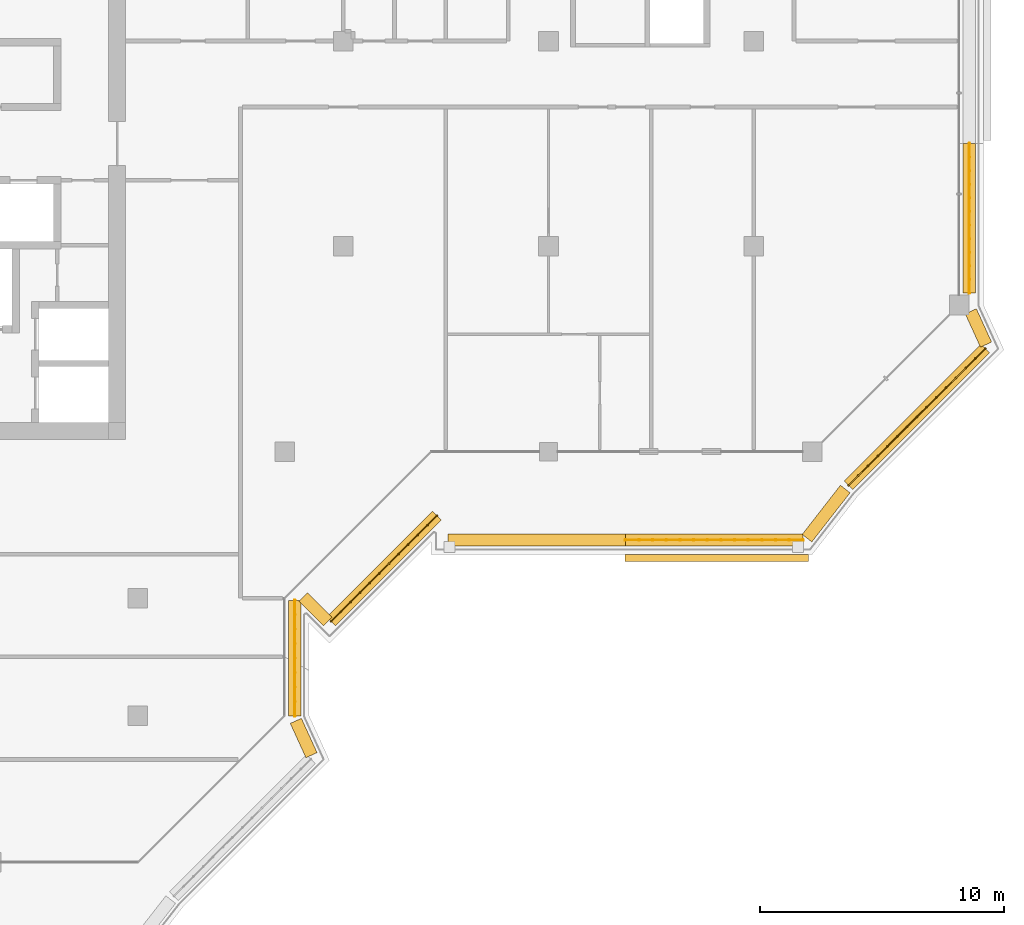
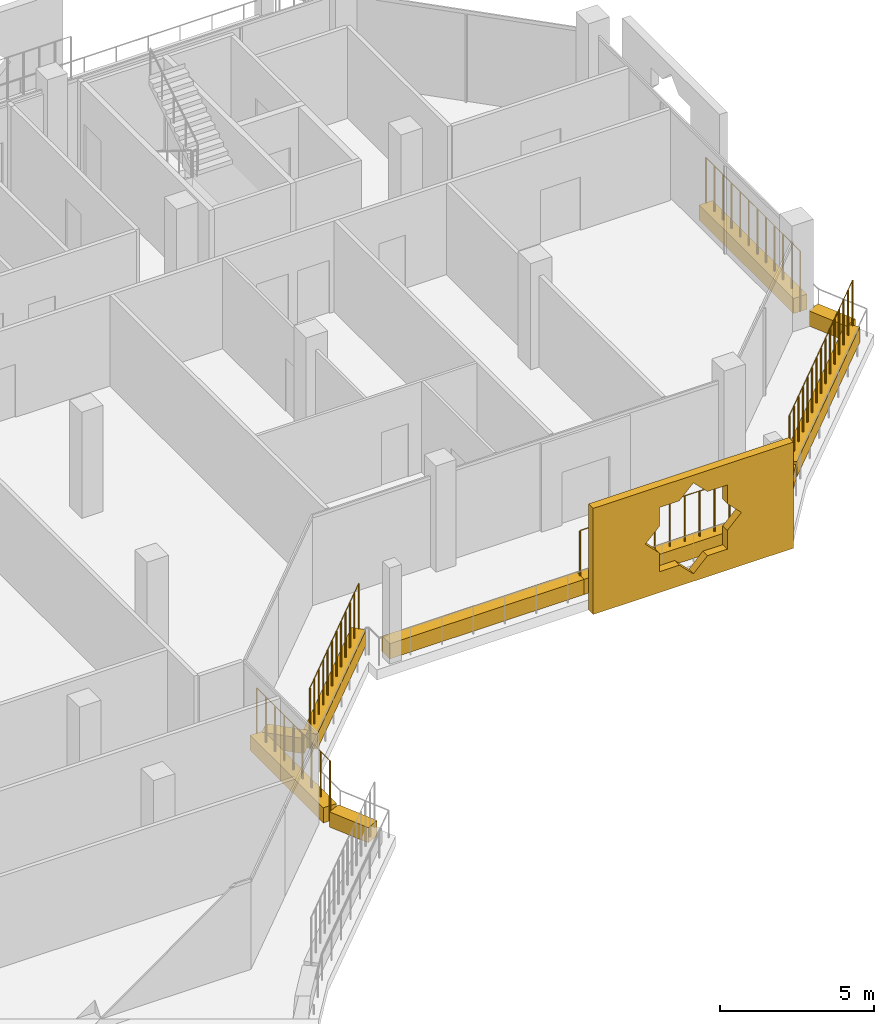
# One storey, part 18 of 21: 11 coverings, 5 railings.
"""IFC4 building model written with IfcOpenShell, lengths in metres."""

from ifc_helpers import new_model, si_unit, direction, frame, origin, origin_2d, place, context, subcontext, project, spatial, polyline, rectangle, circle, outline, extrude, material, material_profile, profile_set, type_object, element, save


model = new_model("IFC4")

# Units and contexts
model_context = context("Model", 3, precision=1e-05, world=origin(), true_north=direction((0.0, 1.0)))
body_context = subcontext(model_context, "Body", "Model", "MODEL_VIEW")
ifc_project = project(units=[si_unit("LENGTHUNIT", "METRE"), si_unit("AREAUNIT", "SQUARE_METRE"), si_unit("VOLUMEUNIT", "CUBIC_METRE"), si_unit("PLANEANGLEUNIT", "RADIAN"), si_unit("MASSUNIT", "GRAM", prefix="KILO")], contexts=[model_context])

# Site, building, storey
site_placement = place(None, origin())
site = spatial("IfcSite", under=ifc_project, at=site_placement, CompositionType="ELEMENT")
building_placement = place(site_placement, origin())
building = spatial("IfcBuilding", under=site, at=building_placement, Name="Kawkab Arch Medical Tower", CompositionType="ELEMENT")
storey_placement = place(building_placement, frame((0.0, 0.0, 311.199951171875)))
storey = spatial("IfcBuildingStorey", under=building, at=storey_placement, Name="L72", CompositionType="ELEMENT", Elevation=311.199951171875)

# Coverings
ifc_material_1 = material(Name="Bronze anodised aluminium mashrabiya panel, eight-point star pattern", Category="aluminium")
ifc_material_profile_1 = material_profile(ifc_material_1, outline(polyline([(-3.75, -2.10009765625), (3.75, -2.10009765625), (3.75, 2.10009765625), (-3.75, 2.10009765625), (-3.75, -2.10009765625)]), holes=[polyline([(1.800048828125, 0.0), (1.272705078125, 0.527099609375), (1.272705078125, 1.272705078125), (0.527099609375, 1.272705078125), (0.0, 1.800048828125), (-0.527099609375, 1.272705078125), (-1.272705078125, 1.272705078125), (-1.272705078125, 0.527099609375), (-1.800048828125, 0.0), (-1.272705078125, -0.527099609375), (-1.272705078125, -1.272705078125), (-0.527099609375, -1.272705078125), (0.0, -1.800048828125), (0.527099609375, -1.272705078125), (1.272705078125, -1.272705078125), (1.272705078125, -0.527099609375), (1.800048828125, 0.0)])]), Name="Mashrabiya panel 7500x4200")
ifc_profile_set_1 = profile_set([ifc_material_profile_1], Name="Bronze anodised aluminium mashrabiya panel, eight-point star pattern")
covering_type_1 = type_object("IfcCoveringType", Name="Mashrabiya panel 7500 x 4200", PredefinedType="USERDEFINED", material=ifc_profile_set_1)
covering_1_placement = place(storey_placement, frame((48.87890625, -29.39990234375, 1.699951171875), z_axis=(0.0, -1.0, 0.0), x_axis=(1.0, 0.0, 0.0)))
element("IfcCovering", 1, at=covering_1_placement, inside=storey, type_object=covering_type_1, Name="Mashrabiya panel L72.LOG-01-01.7", ObjectType="SCREEN", PredefinedType="USERDEFINED", context=body_context, shape_type="SweptSolid", body=[
    extrude(outline(polyline([(-3.75, -2.10009765625), (3.75, -2.10009765625), (3.75, 2.10009765625), (-3.75, 2.10009765625), (-3.75, -2.10009765625)]), holes=[polyline([(1.800048828125, 0.0), (1.272705078125, 0.527099609375), (1.272705078125, 1.272705078125), (0.527099609375, 1.272705078125), (0.0, 1.800048828125), (-0.527099609375, 1.272705078125), (-1.272705078125, 1.272705078125), (-1.272705078125, 0.527099609375), (-1.800048828125, 0.0), (-1.272705078125, -0.527099609375), (-1.272705078125, -1.272705078125), (-0.527099609375, -1.272705078125), (0.0, -1.800048828125), (0.527099609375, -1.272705078125), (1.272705078125, -1.272705078125), (1.272705078125, -0.527099609375), (1.800048828125, 0.0)])]), origin(), (0.0, 0.0, 1.0), 0.300048828125),
])
ifc_material_2 = material(Name="Planting soil in a precast trough", Category="concrete")
ifc_material_profile_2 = material_profile(ifc_material_2, rectangle(XDim=0.5, YDim=0.60009765625, at=origin_2d()), Name="Trough 500x600")
ifc_profile_set_2 = profile_set([ifc_material_profile_2], Name="Planting soil in a precast trough")
covering_type_2 = type_object("IfcCoveringType", Name="Planter trough 500 x 600", PredefinedType="USERDEFINED", material=ifc_profile_set_2)
covering_2_placement = place(storey_placement, frame((59.219970703125, -12.60009765625, 0.300048828125), z_axis=(0.0, -1.0, 0.0), x_axis=(1.0, 0.0, 0.0)))
element("IfcCovering", 2, at=covering_2_placement, inside=storey, type_object=covering_type_2, Name="Planter L72.LOG-01-01.23", ObjectType="PLANTER", PredefinedType="USERDEFINED", context=body_context, shape_type="SweptSolid", body=[
    extrude(rectangle(XDim=0.5, YDim=0.60009765625, at=origin_2d()), origin(), (0.0, 0.0, 1.0), 6.119873046875),
])
covering_3_placement = place(storey_placement, frame((59.280029296875, -19.4580078125, 0.300048828125), z_axis=(0.415189748133, -0.909734836667, 0.0), x_axis=(0.909734836667, 0.415189748133, 0.0)))
element("IfcCovering", 3, at=covering_3_placement, inside=storey, type_object=covering_type_2, Name="Planter L72.LOG-01-01.24", ObjectType="PLANTER", PredefinedType="USERDEFINED", context=body_context, shape_type="SweptSolid", body=[
    extrude(rectangle(XDim=0.5, YDim=0.60009765625, at=origin_2d()), origin(), (0.0, 0.0, 1.0), 1.498291015625),
])
covering_4_placement = place(storey_placement, frame((59.873046875, -20.98291015625, 0.300048828125), z_axis=(-0.707106781187, -0.707106781187, 0.0), x_axis=(0.707106781187, -0.707106781187, 0.0)))
element("IfcCovering", 4, at=covering_4_placement, inside=storey, type_object=covering_type_2, Name="Planter L72.LOG-01-01.25", ObjectType="PLANTER", PredefinedType="USERDEFINED", context=body_context, shape_type="SweptSolid", body=[
    extrude(rectangle(XDim=0.5, YDim=0.60009765625, at=origin_2d()), origin(), (0.0, 0.0, 1.0), 7.919677734375),
])
covering_5_placement = place(storey_placement, frame((54.14111328125, -26.73193359375, 0.300048828125), z_axis=(-0.614099956103, -0.789228258436, 0.0), x_axis=(0.789228258436, -0.614099956103, 0.0)))
element("IfcCovering", 5, at=covering_5_placement, inside=storey, type_object=covering_type_2, Name="Planter L72.LOG-01-01.26", ObjectType="PLANTER", PredefinedType="USERDEFINED", context=body_context, shape_type="SweptSolid", body=[
    extrude(rectangle(XDim=0.5, YDim=0.60009765625, at=origin_2d()), origin(), (0.0, 0.0, 1.0), 2.545654296875),
])
for number, where, z_axis, x_axis, name in (
    (6, (52.416015625, -28.820068359375, 0.300048828125), (-1.0, 0.0, 0.0), (0.0, -1.0, 0.0), "Planter L72.LOG-01-01.27"),
    (7, (45.14794921875, -28.820068359375, 0.300048828125), (-1.0, 0.0, 0.0), (0.0, -1.0, 0.0), "Planter L72.LOG-01-01.28"),
):
    element("IfcCovering", number, at=place(storey_placement, frame(where, z_axis=z_axis, x_axis=x_axis)), inside=storey, type_object=covering_type_2, Name=name, ObjectType="PLANTER", PredefinedType="USERDEFINED", context=body_context, shape_type="SweptSolid", body=[
        extrude(rectangle(XDim=0.5, YDim=0.60009765625, at=origin_2d()), origin(), (0.0, 0.0, 1.0), 7.26806640625),
    ])
covering_6_placement = place(storey_placement, frame((37.43701171875, -27.820068359375, 0.300048828125), z_axis=(-0.707206504313, -0.707007043994, 0.0), x_axis=(0.707007043994, -0.707206504313, 0.0)))
element("IfcCovering", 8, at=covering_6_placement, inside=storey, type_object=covering_type_2, Name="Planter L72.LOG-01-01.29", ObjectType="PLANTER", PredefinedType="USERDEFINED", context=body_context, shape_type="SweptSolid", body=[
    extrude(rectangle(XDim=0.5, YDim=0.60009765625, at=origin_2d()), origin(), (0.0, 0.0, 1.0), 6.1201171875),
])
covering_7_placement = place(storey_placement, frame((32.967041015625, -32.14697265625, 0.300048828125), z_axis=(-0.707192746389, 0.707020805532, 0.0), x_axis=(-0.707020805532, -0.707192746389, 0.0)))
element("IfcCovering", 9, at=covering_7_placement, inside=storey, type_object=covering_type_2, Name="Planter L72.LOG-01-01.30", ObjectType="PLANTER", PredefinedType="USERDEFINED", context=body_context, shape_type="SweptSolid", body=[
    extrude(rectangle(XDim=0.5, YDim=0.60009765625, at=origin_2d()), origin(), (0.0, 0.0, 1.0), 1.419921875),
])
covering_8_placement = place(storey_placement, frame((31.6201171875, -31.284912109375, 0.300048828125), z_axis=(0.0, -1.0, 0.0), x_axis=(1.0, 0.0, 0.0)))
element("IfcCovering", 10, at=covering_8_placement, inside=storey, type_object=covering_type_2, Name="Planter L72.LOG-01-01.31", ObjectType="PLANTER", PredefinedType="USERDEFINED", context=body_context, shape_type="SweptSolid", body=[
    extrude(rectangle(XDim=0.5, YDim=0.60009765625, at=origin_2d()), origin(), (0.0, 0.0, 1.0), 4.740966796875),
])
covering_9_placement = place(storey_placement, frame((31.660888671875, -36.217041015625, 0.300048828125), z_axis=(0.415363486165, -0.909655525109, 0.0), x_axis=(0.909655525109, 0.415363486165, 0.0)))
element("IfcCovering", 11, at=covering_9_placement, inside=storey, type_object=covering_type_2, Name="Planter L72.LOG-01-01.32", ObjectType="PLANTER", PredefinedType="USERDEFINED", context=body_context, shape_type="SweptSolid", body=[
    extrude(rectangle(XDim=0.5, YDim=0.60009765625, at=origin_2d()), origin(), (0.0, 0.0, 1.0), 1.54345703125),
])

# Railings
ifc_material_3 = material(Name="Bronze anodised aluminium trellis for climbing plants", Category="aluminium")
railing_type = type_object("IfcRailingType", Name="Planting trellis 2400", PredefinedType="USERDEFINED", material=ifc_material_3)
railing_1_placement = place(storey_placement, frame((59.219970703125, -12.60009765625, 0.0)))
element("IfcRailing", 12, at=railing_1_placement, inside=storey, type_object=railing_type, Name="Planting trellis L72.LOG-01-01.23", ObjectType="TRELLIS", PredefinedType="USERDEFINED", context=body_context, shape_type="SweptSolid", body=[
    extrude(circle(Radius=0.01513671875, at=origin_2d()), frame((0.0, 0.0, 2.384765625), z_axis=(0.0, -1.0, 0.0), x_axis=(1.0, 0.0, 0.0)), (0.0, 0.0, 1.0), 6.119873046875),
    extrude(circle(Radius=0.030029296875, at=origin_2d()), origin(), (0.0, 0.0, 1.0), 2.369873046875),
    extrude(circle(Radius=0.030029296875, at=origin_2d()), frame((0.0, -0.556396484375, 0.0)), (0.0, 0.0, 1.0), 2.369873046875),
    extrude(circle(Radius=0.030029296875, at=origin_2d()), frame((0.0, -1.11279296875, 0.0)), (0.0, 0.0, 1.0), 2.369873046875),
    extrude(circle(Radius=0.030029296875, at=origin_2d()), frame((0.0, -1.6689453125, 0.0)), (0.0, 0.0, 1.0), 2.369873046875),
    extrude(circle(Radius=0.030029296875, at=origin_2d()), frame((0.0, -2.225341796875, 0.0)), (0.0, 0.0, 1.0), 2.369873046875),
    extrude(circle(Radius=0.030029296875, at=origin_2d()), frame((0.0, -2.78173828125, 0.0)), (0.0, 0.0, 1.0), 2.369873046875),
    extrude(circle(Radius=0.030029296875, at=origin_2d()), frame((0.0, -3.338134765625, 0.0)), (0.0, 0.0, 1.0), 2.369873046875),
    extrude(circle(Radius=0.030029296875, at=origin_2d()), frame((0.0, -3.89453125, 0.0)), (0.0, 0.0, 1.0), 2.369873046875),
    extrude(circle(Radius=0.030029296875, at=origin_2d()), frame((0.0, -4.450927734375, 0.0)), (0.0, 0.0, 1.0), 2.369873046875),
    extrude(circle(Radius=0.030029296875, at=origin_2d()), frame((0.0, -5.007080078125, 0.0)), (0.0, 0.0, 1.0), 2.369873046875),
    extrude(circle(Radius=0.030029296875, at=origin_2d()), frame((0.0, -5.5634765625, 0.0)), (0.0, 0.0, 1.0), 2.369873046875),
    extrude(circle(Radius=0.030029296875, at=origin_2d()), frame((0.0, -6.119873046875, 0.0)), (0.0, 0.0, 1.0), 2.369873046875),
])
railing_2_placement = place(storey_placement, frame((59.873046875, -20.98291015625, 0.0)))
element("IfcRailing", 13, at=railing_2_placement, inside=storey, type_object=railing_type, Name="Planting trellis L72.LOG-01-01.25", ObjectType="TRELLIS", PredefinedType="USERDEFINED", context=body_context, shape_type="SweptSolid", body=[
    extrude(circle(Radius=0.01513671875, at=origin_2d()), frame((0.0, 0.0, 2.384765625), z_axis=(-0.707106781187, -0.707106781187, 0.0), x_axis=(0.707106781187, -0.707106781187, 0.0)), (0.0, 0.0, 1.0), 7.919677734375),
    extrude(circle(Radius=0.030029296875, at=origin_2d()), origin(), (0.0, 0.0, 1.0), 2.369873046875),
    extrude(circle(Radius=0.030029296875, at=origin_2d()), frame((-0.39990234375, -0.39990234375, 0.0)), (0.0, 0.0, 1.0), 2.369873046875),
    extrude(circle(Radius=0.030029296875, at=origin_2d()), frame((-0.800048828125, -0.800048828125, 0.0)), (0.0, 0.0, 1.0), 2.369873046875),
    extrude(circle(Radius=0.030029296875, at=origin_2d()), frame((-1.199951171875, -1.199951171875, 0.0)), (0.0, 0.0, 1.0), 2.369873046875),
    extrude(circle(Radius=0.030029296875, at=origin_2d()), frame((-1.60009765625, -1.60009765625, 0.0)), (0.0, 0.0, 1.0), 2.369873046875),
    extrude(circle(Radius=0.030029296875, at=origin_2d()), frame((-2.0, -2.0, 0.0)), (0.0, 0.0, 1.0), 2.369873046875),
    extrude(circle(Radius=0.030029296875, at=origin_2d()), frame((-2.400146484375, -2.400146484375, 0.0)), (0.0, 0.0, 1.0), 2.369873046875),
    extrude(circle(Radius=0.030029296875, at=origin_2d()), frame((-2.800048828125, -2.800048828125, 0.0)), (0.0, 0.0, 1.0), 2.369873046875),
    extrude(circle(Radius=0.030029296875, at=origin_2d()), frame((-3.199951171875, -3.199951171875, 0.0)), (0.0, 0.0, 1.0), 2.369873046875),
    extrude(circle(Radius=0.030029296875, at=origin_2d()), frame((-3.60009765625, -3.60009765625, 0.0)), (0.0, 0.0, 1.0), 2.369873046875),
    extrude(circle(Radius=0.030029296875, at=origin_2d()), frame((-4.0, -4.0, 0.0)), (0.0, 0.0, 1.0), 2.369873046875),
    extrude(circle(Radius=0.030029296875, at=origin_2d()), frame((-4.400146484375, -4.400146484375, 0.0)), (0.0, 0.0, 1.0), 2.369873046875),
    extrude(circle(Radius=0.030029296875, at=origin_2d()), frame((-4.800048828125, -4.800048828125, 0.0)), (0.0, 0.0, 1.0), 2.369873046875),
    extrude(circle(Radius=0.030029296875, at=origin_2d()), frame((-5.2001953125, -5.2001953125, 0.0)), (0.0, 0.0, 1.0), 2.369873046875),
    extrude(circle(Radius=0.030029296875, at=origin_2d()), frame((-5.60009765625, -5.60009765625, 0.0)), (0.0, 0.0, 1.0), 2.369873046875),
])
railing_3_placement = place(storey_placement, frame((52.416015625, -28.820068359375, 0.0)))
element("IfcRailing", 14, at=railing_3_placement, inside=storey, type_object=railing_type, Name="Planting trellis L72.LOG-01-01.27", ObjectType="TRELLIS", PredefinedType="USERDEFINED", context=body_context, shape_type="SweptSolid", body=[
    extrude(circle(Radius=0.01513671875, at=origin_2d()), frame((0.0, 0.0, 2.384765625), z_axis=(-1.0, 0.0, 0.0), x_axis=(0.0, -1.0, 0.0)), (0.0, 0.0, 1.0), 7.26806640625),
    extrude(circle(Radius=0.030029296875, at=origin_2d()), origin(), (0.0, 0.0, 1.0), 2.369873046875),
    extrude(circle(Radius=0.030029296875, at=origin_2d()), frame((-0.55908203125, 0.0, 0.0)), (0.0, 0.0, 1.0), 2.369873046875),
    extrude(circle(Radius=0.030029296875, at=origin_2d()), frame((-1.1181640625, 0.0, 0.0)), (0.0, 0.0, 1.0), 2.369873046875),
    extrude(circle(Radius=0.030029296875, at=origin_2d()), frame((-1.67724609375, 0.0, 0.0)), (0.0, 0.0, 1.0), 2.369873046875),
    extrude(circle(Radius=0.030029296875, at=origin_2d()), frame((-2.236328125, 0.0, 0.0)), (0.0, 0.0, 1.0), 2.369873046875),
    extrude(circle(Radius=0.030029296875, at=origin_2d()), frame((-2.79541015625, 0.0, 0.0)), (0.0, 0.0, 1.0), 2.369873046875),
    extrude(circle(Radius=0.030029296875, at=origin_2d()), frame((-3.3544921875, 0.0, 0.0)), (0.0, 0.0, 1.0), 2.369873046875),
    extrude(circle(Radius=0.030029296875, at=origin_2d()), frame((-3.91357421875, 0.0, 0.0)), (0.0, 0.0, 1.0), 2.369873046875),
    extrude(circle(Radius=0.030029296875, at=origin_2d()), frame((-4.47265625, 0.0, 0.0)), (0.0, 0.0, 1.0), 2.369873046875),
    extrude(circle(Radius=0.030029296875, at=origin_2d()), frame((-5.03173828125, 0.0, 0.0)), (0.0, 0.0, 1.0), 2.369873046875),
    extrude(circle(Radius=0.030029296875, at=origin_2d()), frame((-5.5908203125, 0.0, 0.0)), (0.0, 0.0, 1.0), 2.369873046875),
    extrude(circle(Radius=0.030029296875, at=origin_2d()), frame((-6.14990234375, 0.0, 0.0)), (0.0, 0.0, 1.0), 2.369873046875),
    extrude(circle(Radius=0.030029296875, at=origin_2d()), frame((-6.708984375, 0.0, 0.0)), (0.0, 0.0, 1.0), 2.369873046875),
    extrude(circle(Radius=0.030029296875, at=origin_2d()), frame((-7.26806640625, 0.0, 0.0)), (0.0, 0.0, 1.0), 2.369873046875),
])
railing_4_placement = place(storey_placement, frame((37.43701171875, -27.820068359375, 0.0)))
element("IfcRailing", 15, at=railing_4_placement, inside=storey, type_object=railing_type, Name="Planting trellis L72.LOG-01-01.29", ObjectType="TRELLIS", PredefinedType="USERDEFINED", context=body_context, shape_type="SweptSolid", body=[
    extrude(circle(Radius=0.01513671875, at=origin_2d()), frame((0.0, 0.0, 2.384765625), z_axis=(-0.707206504313, -0.707007043994, 0.0), x_axis=(0.707007043994, -0.707206504313, 0.0)), (0.0, 0.0, 1.0), 6.1201171875),
    extrude(circle(Radius=0.030029296875, at=origin_2d()), origin(), (0.0, 0.0, 1.0), 2.369873046875),
    extrude(circle(Radius=0.030029296875, at=origin_2d()), frame((-0.3935546875, -0.393310546875, 0.0)), (0.0, 0.0, 1.0), 2.369873046875),
    extrude(circle(Radius=0.030029296875, at=origin_2d()), frame((-0.786865234375, -0.78662109375, 0.0)), (0.0, 0.0, 1.0), 2.369873046875),
    extrude(circle(Radius=0.030029296875, at=origin_2d()), frame((-1.180419921875, -1.18017578125, 0.0)), (0.0, 0.0, 1.0), 2.369873046875),
    extrude(circle(Radius=0.030029296875, at=origin_2d()), frame((-1.573974609375, -1.573486328125, 0.0)), (0.0, 0.0, 1.0), 2.369873046875),
    extrude(circle(Radius=0.030029296875, at=origin_2d()), frame((-1.96728515625, -1.966796875, 0.0)), (0.0, 0.0, 1.0), 2.369873046875),
    extrude(circle(Radius=0.030029296875, at=origin_2d()), frame((-2.36083984375, -2.360107421875, 0.0)), (0.0, 0.0, 1.0), 2.369873046875),
    extrude(circle(Radius=0.030029296875, at=origin_2d()), frame((-2.754150390625, -2.75341796875, 0.0)), (0.0, 0.0, 1.0), 2.369873046875),
    extrude(circle(Radius=0.030029296875, at=origin_2d()), frame((-3.147705078125, -3.146728515625, 0.0)), (0.0, 0.0, 1.0), 2.369873046875),
    extrude(circle(Radius=0.030029296875, at=origin_2d()), frame((-3.541259765625, -3.540283203125, 0.0)), (0.0, 0.0, 1.0), 2.369873046875),
    extrude(circle(Radius=0.030029296875, at=origin_2d()), frame((-3.9345703125, -3.93359375, 0.0)), (0.0, 0.0, 1.0), 2.369873046875),
    extrude(circle(Radius=0.030029296875, at=origin_2d()), frame((-4.328125, -4.326904296875, 0.0)), (0.0, 0.0, 1.0), 2.369873046875),
])
railing_5_placement = place(storey_placement, frame((31.6201171875, -31.284912109375, 0.0)))
element("IfcRailing", 16, at=railing_5_placement, inside=storey, type_object=railing_type, Name="Planting trellis L72.LOG-01-01.31", ObjectType="TRELLIS", PredefinedType="USERDEFINED", context=body_context, shape_type="SweptSolid", body=[
    extrude(circle(Radius=0.01513671875, at=origin_2d()), frame((0.0, 0.0, 2.384765625), z_axis=(0.0, -1.0, 0.0), x_axis=(1.0, 0.0, 0.0)), (0.0, 0.0, 1.0), 4.740966796875),
    extrude(circle(Radius=0.030029296875, at=origin_2d()), origin(), (0.0, 0.0, 1.0), 2.369873046875),
    extrude(circle(Radius=0.030029296875, at=origin_2d()), frame((0.0, -0.592529296875, 0.0)), (0.0, 0.0, 1.0), 2.369873046875),
    extrude(circle(Radius=0.030029296875, at=origin_2d()), frame((0.0, -1.185302734375, 0.0)), (0.0, 0.0, 1.0), 2.369873046875),
    extrude(circle(Radius=0.030029296875, at=origin_2d()), frame((0.0, -1.77783203125, 0.0)), (0.0, 0.0, 1.0), 2.369873046875),
    extrude(circle(Radius=0.030029296875, at=origin_2d()), frame((0.0, -2.37060546875, 0.0)), (0.0, 0.0, 1.0), 2.369873046875),
    extrude(circle(Radius=0.030029296875, at=origin_2d()), frame((0.0, -2.963134765625, 0.0)), (0.0, 0.0, 1.0), 2.369873046875),
    extrude(circle(Radius=0.030029296875, at=origin_2d()), frame((0.0, -3.5556640625, 0.0)), (0.0, 0.0, 1.0), 2.369873046875),
    extrude(circle(Radius=0.030029296875, at=origin_2d()), frame((0.0, -4.1484375, 0.0)), (0.0, 0.0, 1.0), 2.369873046875),
    extrude(circle(Radius=0.030029296875, at=origin_2d()), frame((0.0, -4.740966796875, 0.0)), (0.0, 0.0, 1.0), 2.369873046875),
])

save(model, "model.ifc")
